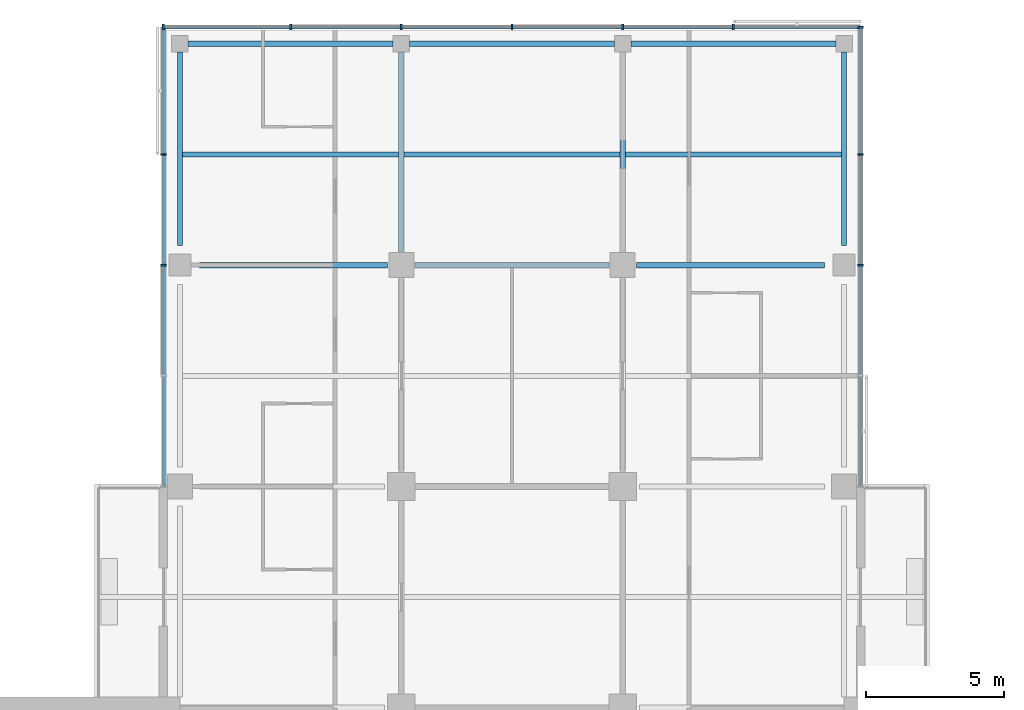
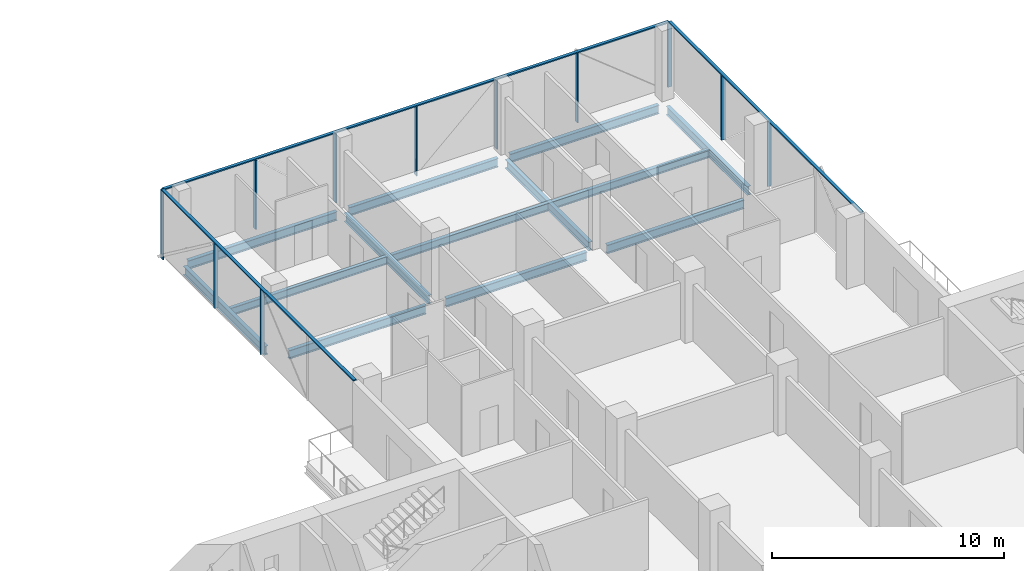
# One storey, part 11 of 25: 14 members, 13 beams, 3 elements without a shape of their own.
"""IFC4 building model written with IfcOpenShell, lengths in metres."""

from ifc_helpers import new_model, si_unit, direction, frame, origin, origin_2d, place, context, subcontext, project, spatial, rectangle, i_section, extrude, material, material_profile, profile_set, type_object, element, aggregate, save


model = new_model("IFC4")

# Units and contexts
model_context = context("Model", 3, precision=1e-05, world=origin(), true_north=direction((0.0, 1.0)))
body_context = subcontext(model_context, "Body", "Model", "MODEL_VIEW")
ifc_project = project(units=[si_unit("LENGTHUNIT", "METRE"), si_unit("AREAUNIT", "SQUARE_METRE"), si_unit("VOLUMEUNIT", "CUBIC_METRE"), si_unit("PLANEANGLEUNIT", "RADIAN"), si_unit("MASSUNIT", "GRAM", prefix="KILO")], contexts=[model_context])

# Site, building, storey
site_placement = place(None, origin())
site = spatial("IfcSite", under=ifc_project, at=site_placement, CompositionType="ELEMENT")
building_placement = place(site_placement, origin())
building = spatial("IfcBuilding", under=site, at=building_placement, Name="Crosswind Convention Tower", CompositionType="ELEMENT")
storey_placement = place(building_placement, frame((0.0, 0.0, 97.89990234375)))
storey = spatial("IfcBuildingStorey", under=building, at=storey_placement, Name="L19", CompositionType="ELEMENT", Elevation=97.89990234375)

# Beams
ifc_material_1 = material(Name="Steel S355", Category="steel")
ifc_material_profile_1 = material_profile(ifc_material_1, i_section(OverallWidth=0.1904296875, OverallDepth=0.457275390625, WebThickness=0.009033203125, FlangeThickness=0.014404296875, FilletRadius=0.01025390625, at=origin_2d()), Name="UB 457x191x75")
ifc_profile_set_1 = profile_set([ifc_material_profile_1], Name="Steel S355")
beam_type_1 = type_object("IfcBeamType", Name="Edge beam UB 457x191x75", PredefinedType="SPANDREL", material=ifc_profile_set_1)
beam_1_placement = place(storey_placement, frame((113.0, 128.699951171875, -0.508544921875), z_axis=(0.0, 1.0, 0.0), x_axis=(-1.0, 0.0, 0.0)))
element("IfcBeam", 1, at=beam_1_placement, inside=storey, type_object=beam_type_1, Name="B17 L19 edge beam 11", PredefinedType="SPANDREL", context=body_context, shape_type="SweptSolid", body=[
    extrude(i_section(OverallWidth=0.1904296875, OverallDepth=0.457275390625, WebThickness=0.009033203125, FlangeThickness=0.014404296875, FilletRadius=0.01025390625, at=origin_2d()), origin(), (0.0, 0.0, 1.0), 7.0),
])
for number, where, z_axis, x_axis, name in (
    (2, (113.300048828125, 136.0, -0.508544921875), (1.0, 0.0, 0.0), (0.0, 1.0, 0.0), "B17 L19 edge beam 13"),
    (3, (121.300048828125, 136.0, -0.508544921875), (1.0, 0.0, 0.0), (0.0, 1.0, 0.0), "B17 L19 edge beam 15"),
    (4, (129.300048828125, 136.0, -0.508544921875), (1.0, 0.0, 0.0), (0.0, 1.0, 0.0), "B17 L19 edge beam 17"),
):
    element("IfcBeam", number, at=place(storey_placement, frame(where, z_axis=z_axis, x_axis=x_axis)), inside=storey, type_object=beam_type_1, Name=name, PredefinedType="SPANDREL", context=body_context, shape_type="SweptSolid", body=[
        extrude(i_section(OverallWidth=0.1904296875, OverallDepth=0.457275390625, WebThickness=0.009033203125, FlangeThickness=0.014404296875, FilletRadius=0.01025390625, at=origin_2d()), origin(), (0.0, 0.0, 1.0), 7.39990234375),
    ])
beam_2_placement = place(storey_placement, frame((137.0, 128.699951171875, -0.508544921875), z_axis=(0.0, 1.0, 0.0), x_axis=(-1.0, 0.0, 0.0)))
element("IfcBeam", 5, at=beam_2_placement, inside=storey, type_object=beam_type_1, Name="B17 L19 edge beam 23", PredefinedType="SPANDREL", context=body_context, shape_type="SweptSolid", body=[
    extrude(i_section(OverallWidth=0.1904296875, OverallDepth=0.457275390625, WebThickness=0.009033203125, FlangeThickness=0.014404296875, FilletRadius=0.01025390625, at=origin_2d()), origin(), (0.0, 0.0, 1.0), 7.0),
])
ifc_material_profile_2 = material_profile(ifc_material_1, i_section(OverallWidth=0.19140625, OverallDepth=0.460205078125, WebThickness=0.010009765625, FlangeThickness=0.01611328125, FilletRadius=0.01025390625, at=origin_2d()), Name="UB 457x191x82")
ifc_profile_set_2 = profile_set([ifc_material_profile_2], Name="Steel S355")
beam_type_2 = type_object("IfcBeamType", Name="Girder UB 457x191x82", PredefinedType="BEAM", material=ifc_profile_set_2)
beam_3_placement = place(storey_placement, frame((113.699951171875, 128.0, -0.510009765625), z_axis=(1.0, 0.0, 0.0), x_axis=(0.0, 1.0, 0.0)))
element("IfcBeam", 6, at=beam_3_placement, inside=storey, type_object=beam_type_2, Name="B3 L19 girder 4", PredefinedType="BEAM", context=body_context, shape_type="SweptSolid", body=[
    extrude(i_section(OverallWidth=0.19140625, OverallDepth=0.460205078125, WebThickness=0.010009765625, FlangeThickness=0.01611328125, FilletRadius=0.01025390625, at=origin_2d()), origin(), (0.0, 0.0, 1.0), 6.800048828125),
])
beam_4_placement = place(storey_placement, frame((121.0, 128.5, -0.510009765625), z_axis=(0.0, 1.0, 0.0), x_axis=(-1.0, 0.0, 0.0)))
element("IfcBeam", 7, at=beam_4_placement, inside=storey, type_object=beam_type_2, Name="B3 L19 girder 13", PredefinedType="BEAM", context=body_context, shape_type="SweptSolid", body=[
    extrude(i_section(OverallWidth=0.19140625, OverallDepth=0.460205078125, WebThickness=0.010009765625, FlangeThickness=0.01611328125, FilletRadius=0.01025390625, at=origin_2d()), origin(), (0.0, 0.0, 1.0), 7.199951171875),
])
beam_5_placement = place(storey_placement, frame((121.5, 128.0, -0.510009765625), z_axis=(1.0, 0.0, 0.0), x_axis=(0.0, 1.0, 0.0)))
element("IfcBeam", 8, at=beam_5_placement, inside=storey, type_object=beam_type_2, Name="B3 L19 girder 15", PredefinedType="BEAM", context=body_context, shape_type="SweptSolid", body=[
    extrude(i_section(OverallWidth=0.19140625, OverallDepth=0.460205078125, WebThickness=0.010009765625, FlangeThickness=0.01611328125, FilletRadius=0.01025390625, at=origin_2d()), origin(), (0.0, 0.0, 1.0), 7.0),
])
beam_6_placement = place(storey_placement, frame((129.0, 128.5, -0.510009765625), z_axis=(0.0, 1.0, 0.0), x_axis=(-1.0, 0.0, 0.0)))
element("IfcBeam", 9, at=beam_6_placement, inside=storey, type_object=beam_type_2, Name="B3 L19 girder 30", PredefinedType="BEAM", context=body_context, shape_type="SweptSolid", body=[
    extrude(i_section(OverallWidth=0.19140625, OverallDepth=0.460205078125, WebThickness=0.010009765625, FlangeThickness=0.01611328125, FilletRadius=0.01025390625, at=origin_2d()), origin(), (0.0, 0.0, 1.0), 7.199951171875),
])
beam_7_placement = place(storey_placement, frame((129.5, 128.0, -0.510009765625), z_axis=(1.0, 0.0, 0.0), x_axis=(0.0, 1.0, 0.0)))
element("IfcBeam", 10, at=beam_7_placement, inside=storey, type_object=beam_type_2, Name="B3 L19 girder 32", PredefinedType="BEAM", context=body_context, shape_type="SweptSolid", body=[
    extrude(i_section(OverallWidth=0.19140625, OverallDepth=0.460205078125, WebThickness=0.010009765625, FlangeThickness=0.01611328125, FilletRadius=0.01025390625, at=origin_2d()), origin(), (0.0, 0.0, 1.0), 6.800048828125),
])

# Curtain wall, members
ifc_material_2 = material(Name="Aluminium unitised curtain wall", Category="aluminium")
curtain_wall_type = type_object("IfcCurtainWallType", Name="HOTEL UNITISED WALL 200", PredefinedType="USERDEFINED", material=ifc_material_2)
curtain_wall_1_placement = place(storey_placement, origin())
curtain_wall_1 = element("IfcCurtainWall", 11, at=curtain_wall_1_placement, inside=storey, type_object=curtain_wall_type, Name="CW2 L19 N-E 1", ObjectType="UNITISED", PredefinedType="USERDEFINED")
ifc_material_3 = material(Name="Aluminium mullion", Category="aluminium")
ifc_material_profile_3 = material_profile(ifc_material_3, rectangle(XDim=0.199951171875, YDim=0.06494140625, at=origin_2d()), Name="AL 200X65")
ifc_profile_set_3 = profile_set([ifc_material_profile_3], Name="Aluminium mullion")
member_type_1 = type_object("IfcMemberType", Name="MULLION 65X200", PredefinedType="MULLION", material=ifc_profile_set_3)
member_1_placement = place(storey_placement, frame((137.60009765625, 128.0, -0.044921875), z_axis=(0.0, 0.0, 1.0), x_axis=(1.0, 0.0, 0.0)))
member_1 = element("IfcMember", 12, at=member_1_placement, type_object=member_type_1, Name="CW2 mullion 3", PredefinedType="MULLION", context=body_context, shape_type="SweptSolid", body=[
    extrude(rectangle(XDim=0.199951171875, YDim=0.06494140625, at=origin_2d()), origin(), (0.0, 0.0, 1.0), 3.39990234375),
])
member_2_placement = place(storey_placement, frame((137.60009765625, 132.0, -0.044921875), z_axis=(0.0, 0.0, 1.0), x_axis=(1.0, 0.0, 0.0)))
member_2 = element("IfcMember", 13, at=member_2_placement, type_object=member_type_1, Name="CW2 mullion 4", PredefinedType="MULLION", context=body_context, shape_type="SweptSolid", body=[
    extrude(rectangle(XDim=0.199951171875, YDim=0.06494140625, at=origin_2d()), origin(), (0.0, 0.0, 1.0), 3.39990234375),
])
member_3_placement = place(storey_placement, frame((137.60009765625, 136.60009765625, -0.044921875), z_axis=(0.0, 0.0, 1.0), x_axis=(1.0, 0.0, 0.0)))
member_3 = element("IfcMember", 14, at=member_3_placement, type_object=member_type_1, Name="CW2 mullion 5", PredefinedType="MULLION", context=body_context, shape_type="SweptSolid", body=[
    extrude(rectangle(XDim=0.199951171875, YDim=0.06494140625, at=origin_2d()), origin(), (0.0, 0.0, 1.0), 3.39990234375),
])

curtain_wall_2_placement = place(storey_placement, origin())
curtain_wall_2 = element("IfcCurtainWall", 15, at=curtain_wall_2_placement, inside=storey, type_object=curtain_wall_type, Name="CW2 L19 N-TIP 1", ObjectType="UNITISED", PredefinedType="USERDEFINED")
member_4_placement = place(storey_placement, frame((133.0, 136.60009765625, -0.27978515625), z_axis=(0.0, 0.0, 1.0), x_axis=(0.0, 1.0, 0.0)))
member_4 = element("IfcMember", 16, at=member_4_placement, type_object=member_type_1, Name="CW2 mullion 2", PredefinedType="MULLION", context=body_context, shape_type="SweptSolid", body=[
    extrude(rectangle(XDim=0.199951171875, YDim=0.06494140625, at=origin_2d()), origin(), (0.0, 0.0, 1.0), 3.634765625),
])
member_5_placement = place(storey_placement, frame((129.0, 136.60009765625, -0.27978515625), z_axis=(0.0, 0.0, 1.0), x_axis=(0.0, 1.0, 0.0)))
member_5 = element("IfcMember", 17, at=member_5_placement, type_object=member_type_1, Name="CW2 mullion 3", PredefinedType="MULLION", context=body_context, shape_type="SweptSolid", body=[
    extrude(rectangle(XDim=0.199951171875, YDim=0.06494140625, at=origin_2d()), origin(), (0.0, 0.0, 1.0), 3.634765625),
])
member_6_placement = place(storey_placement, frame((125.0, 136.60009765625, -0.27978515625), z_axis=(0.0, 0.0, 1.0), x_axis=(0.0, 1.0, 0.0)))
member_6 = element("IfcMember", 18, at=member_6_placement, type_object=member_type_1, Name="CW2 mullion 4", PredefinedType="MULLION", context=body_context, shape_type="SweptSolid", body=[
    extrude(rectangle(XDim=0.199951171875, YDim=0.06494140625, at=origin_2d()), origin(), (0.0, 0.0, 1.0), 3.634765625),
])
member_7_placement = place(storey_placement, frame((121.0, 136.60009765625, -0.27978515625), z_axis=(0.0, 0.0, 1.0), x_axis=(0.0, 1.0, 0.0)))
member_7 = element("IfcMember", 19, at=member_7_placement, type_object=member_type_1, Name="CW2 mullion 5", PredefinedType="MULLION", context=body_context, shape_type="SweptSolid", body=[
    extrude(rectangle(XDim=0.199951171875, YDim=0.06494140625, at=origin_2d()), origin(), (0.0, 0.0, 1.0), 3.634765625),
])
member_8_placement = place(storey_placement, frame((117.0, 136.60009765625, -0.27978515625), z_axis=(0.0, 0.0, 1.0), x_axis=(0.0, 1.0, 0.0)))
member_8 = element("IfcMember", 20, at=member_8_placement, type_object=member_type_1, Name="CW2 mullion 6", PredefinedType="MULLION", context=body_context, shape_type="SweptSolid", body=[
    extrude(rectangle(XDim=0.199951171875, YDim=0.06494140625, at=origin_2d()), origin(), (0.0, 0.0, 1.0), 3.634765625),
])
member_9_placement = place(storey_placement, frame((112.39990234375, 136.60009765625, -0.27978515625), z_axis=(0.0, 0.0, 1.0), x_axis=(0.0, 1.0, 0.0)))
member_9 = element("IfcMember", 21, at=member_9_placement, type_object=member_type_1, Name="CW2 mullion 7", PredefinedType="MULLION", context=body_context, shape_type="SweptSolid", body=[
    extrude(rectangle(XDim=0.199951171875, YDim=0.06494140625, at=origin_2d()), origin(), (0.0, 0.0, 1.0), 3.634765625),
])

curtain_wall_3_placement = place(storey_placement, origin())
curtain_wall_3 = element("IfcCurtainWall", 22, at=curtain_wall_3_placement, inside=storey, type_object=curtain_wall_type, Name="CW2 L19 N-W 1", ObjectType="UNITISED", PredefinedType="USERDEFINED")
member_10_placement = place(storey_placement, frame((112.39990234375, 132.0, -0.044921875), z_axis=(0.0, 0.0, 1.0), x_axis=(-1.0, 0.0, 0.0)))
member_10 = element("IfcMember", 23, at=member_10_placement, type_object=member_type_1, Name="CW2 mullion 2", PredefinedType="MULLION", context=body_context, shape_type="SweptSolid", body=[
    extrude(rectangle(XDim=0.199951171875, YDim=0.06494140625, at=origin_2d()), origin(), (0.0, 0.0, 1.0), 3.39990234375),
])
member_11_placement = place(storey_placement, frame((112.39990234375, 128.0, -0.044921875), z_axis=(0.0, 0.0, 1.0), x_axis=(-1.0, 0.0, 0.0)))
member_11 = element("IfcMember", 24, at=member_11_placement, type_object=member_type_1, Name="CW2 mullion 3", PredefinedType="MULLION", context=body_context, shape_type="SweptSolid", body=[
    extrude(rectangle(XDim=0.199951171875, YDim=0.06494140625, at=origin_2d()), origin(), (0.0, 0.0, 1.0), 3.39990234375),
])

# Beams
ifc_material_profile_4 = material_profile(ifc_material_1, i_section(OverallWidth=0.177734375, OverallDepth=0.406494140625, WebThickness=0.0078125, FlangeThickness=0.0126953125, FilletRadius=0.01025390625, at=origin_2d()), Name="UB 406x178x60")
ifc_profile_set_4 = profile_set([ifc_material_profile_4], Name="Steel S355")
beam_type_3 = type_object("IfcBeamType", Name="Secondary beam UB 406x178x60", PredefinedType="JOIST", material=ifc_profile_set_4)
beam_8_placement = place(storey_placement, frame((113.09521484375, 132.0, -0.483154296875), z_axis=(1.0, 0.0, 0.0), x_axis=(0.0, 1.0, 0.0)))
element("IfcBeam", 25, at=beam_8_placement, inside=storey, type_object=beam_type_3, Name="B10 L19 secondary beam 12", PredefinedType="JOIST", context=body_context, shape_type="SweptSolid", body=[
    extrude(i_section(OverallWidth=0.177734375, OverallDepth=0.406494140625, WebThickness=0.0078125, FlangeThickness=0.0126953125, FilletRadius=0.01025390625, at=origin_2d()), origin(), (0.0, 0.0, 1.0), 7.80908203125),
])
beam_9_placement = place(storey_placement, frame((121.095703125, 132.0, -0.483154296875), z_axis=(1.0, 0.0, 0.0), x_axis=(0.0, 1.0, 0.0)))
element("IfcBeam", 26, at=beam_9_placement, inside=storey, type_object=beam_type_3, Name="B10 L19 secondary beam 21", PredefinedType="JOIST", context=body_context, shape_type="SweptSolid", body=[
    extrude(i_section(OverallWidth=0.177734375, OverallDepth=0.406494140625, WebThickness=0.0078125, FlangeThickness=0.0126953125, FilletRadius=0.01025390625, at=origin_2d()), origin(), (0.0, 0.0, 1.0), 7.80859375),
])
beam_10_placement = place(storey_placement, frame((129.095703125, 132.0, -0.483154296875), z_axis=(1.0, 0.0, 0.0), x_axis=(0.0, 1.0, 0.0)))
element("IfcBeam", 27, at=beam_10_placement, inside=storey, type_object=beam_type_3, Name="B10 L19 secondary beam 30", PredefinedType="JOIST", context=body_context, shape_type="SweptSolid", body=[
    extrude(i_section(OverallWidth=0.177734375, OverallDepth=0.406494140625, WebThickness=0.0078125, FlangeThickness=0.0126953125, FilletRadius=0.01025390625, at=origin_2d()), origin(), (0.0, 0.0, 1.0), 7.80908203125),
])

# Member
ifc_material_4 = material(Name="Aluminium transom", Category="aluminium")
ifc_material_profile_5 = material_profile(ifc_material_4, rectangle(XDim=0.14990234375, YDim=0.06494140625, at=origin_2d()), Name="AL 150X65")
ifc_profile_set_5 = profile_set([ifc_material_profile_5], Name="Aluminium transom")
member_type_2 = type_object("IfcMemberType", Name="TRANSOM 65X150", PredefinedType="USERDEFINED", material=ifc_profile_set_5)
member_12_placement = place(storey_placement, frame((137.60009765625, 120.032470703125, 3.3876953125), z_axis=(0.0, 1.0, 0.0), x_axis=(-1.0, 0.0, 0.0)))
member_12 = element("IfcMember", 28, at=member_12_placement, type_object=member_type_2, Name="CW2 transom", ObjectType="TRANSOM", PredefinedType="USERDEFINED", context=body_context, shape_type="SweptSolid", body=[
    extrude(rectangle(XDim=0.14990234375, YDim=0.06494140625, at=origin_2d()), origin(), (0.0, 0.0, 1.0), 16.534912109375),
])

aggregate(curtain_wall_1, [member_1, member_2, member_3, member_12])

member_13_placement = place(storey_placement, frame((137.5673828125, 136.60009765625, 3.3876953125), z_axis=(-1.0, 0.0, 0.0), x_axis=(0.0, -1.0, 0.0)))
member_13 = element("IfcMember", 29, at=member_13_placement, type_object=member_type_2, Name="CW2 transom", ObjectType="TRANSOM", PredefinedType="USERDEFINED", context=body_context, shape_type="SweptSolid", body=[
    extrude(rectangle(XDim=0.14990234375, YDim=0.06494140625, at=origin_2d()), origin(), (0.0, 0.0, 1.0), 25.134765625),
])

aggregate(curtain_wall_2, [member_4, member_5, member_6, member_7, member_8, member_9, member_13])

member_14_placement = place(storey_placement, frame((112.39990234375, 136.5673828125, 3.3876953125), z_axis=(0.0, -1.0, 0.0), x_axis=(1.0, 0.0, 0.0)))
member_14 = element("IfcMember", 30, at=member_14_placement, type_object=member_type_2, Name="CW2 transom", ObjectType="TRANSOM", PredefinedType="USERDEFINED", context=body_context, shape_type="SweptSolid", body=[
    extrude(rectangle(XDim=0.14990234375, YDim=0.06494140625, at=origin_2d()), origin(), (0.0, 0.0, 1.0), 16.534912109375),
])

aggregate(curtain_wall_3, [member_10, member_11, member_14])

save(model, "model.ifc")
